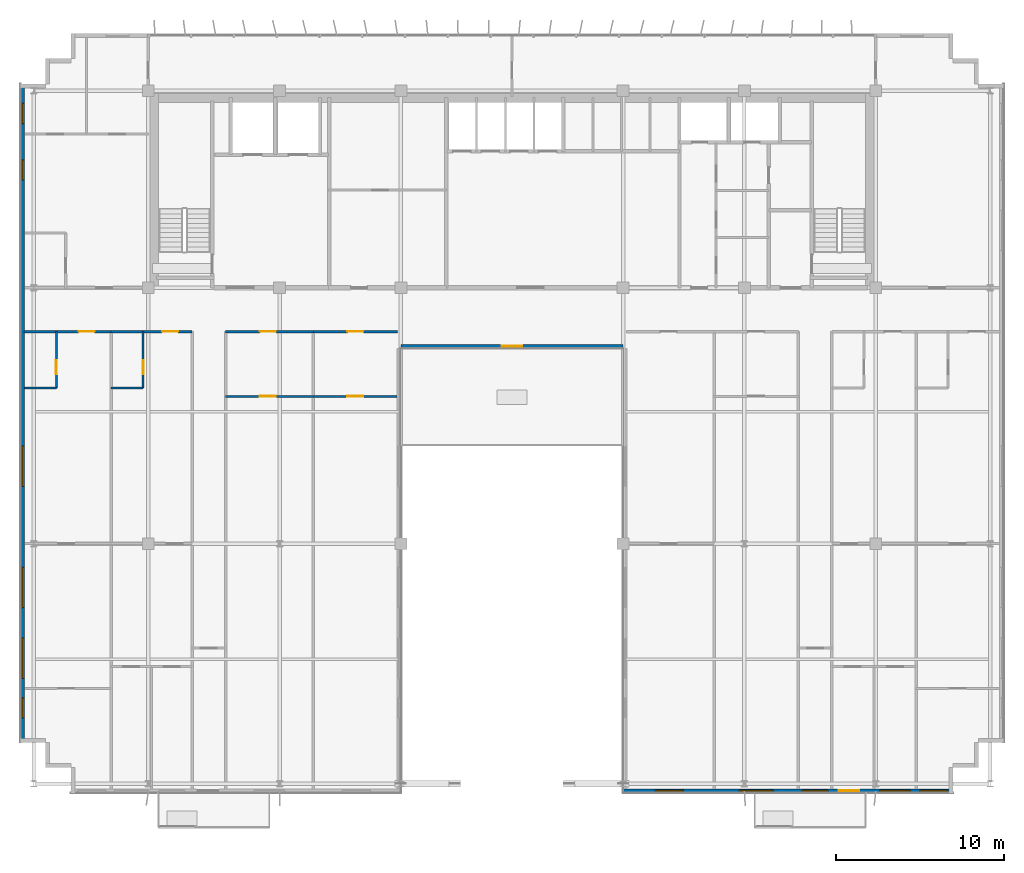
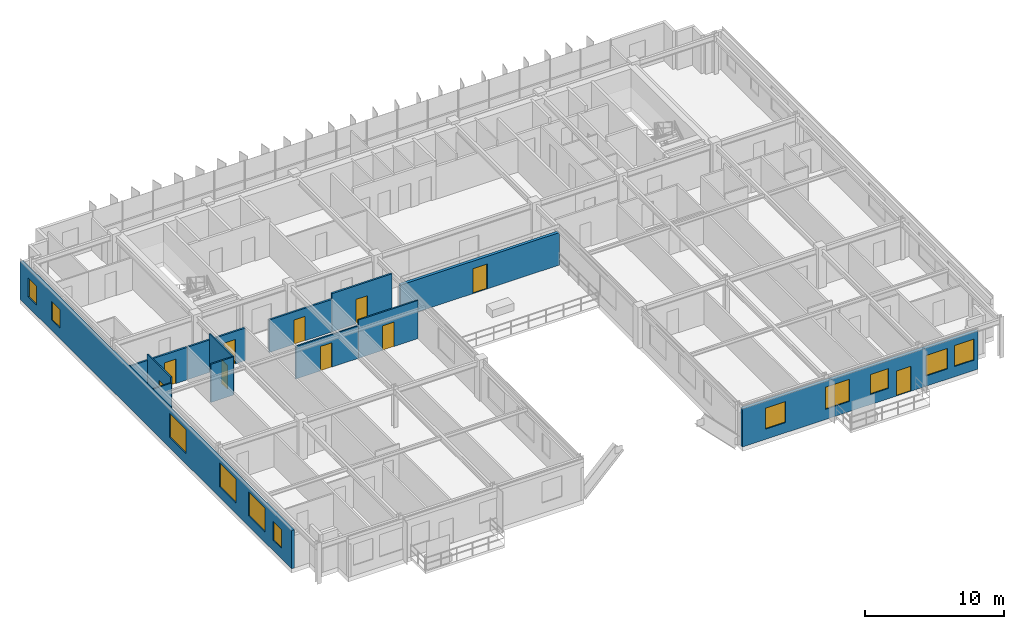
# One storey, part 17 of 23: 13 walls, 11 windows, 10 doors, 21 openings.
"""IFC4 building model written with IfcOpenShell, lengths in metres."""

from ifc_helpers import new_model, si_unit, direction, frame, frame_2d, origin, place, context, subcontext, project, spatial, rectangle, extrude, source, transform, mapped, material, layer, layer_set, type_object, element, fill, save


model = new_model("IFC4")

# Units and contexts
model_context = context("Model", 3, precision=1e-05, world=origin(), true_north=direction((0.0, 1.0)))
body_context = subcontext(model_context, "Body", "Model", "MODEL_VIEW")
ifc_project = project(units=[si_unit("LENGTHUNIT", "METRE"), si_unit("AREAUNIT", "SQUARE_METRE"), si_unit("VOLUMEUNIT", "CUBIC_METRE"), si_unit("PLANEANGLEUNIT", "RADIAN"), si_unit("MASSUNIT", "GRAM", prefix="KILO")], contexts=[model_context])

# Site, building, storey
site_placement = place(None, origin())
site = spatial("IfcSite", under=ifc_project, at=site_placement, CompositionType="ELEMENT")
building_placement = place(site_placement, origin())
building = spatial("IfcBuilding", under=site, at=building_placement, Name="Trelvane Seafront Commons", CompositionType="ELEMENT")
storey_placement = place(building_placement, frame((0.0, 0.0, 190.5)))
storey = spatial("IfcBuildingStorey", under=building, at=storey_placement, Name="L49", CompositionType="ELEMENT", Elevation=190.5)

# Wall, openings, windows
ifc_material_1 = material(Name="Precast concrete C40/50", Category="concrete")
ifc_layer_1 = layer(ifc_material_1, 0.239990234375, Name="ARCH-WALL-EXT240")
ifc_layer_set_1 = layer_set([ifc_layer_1], Name="Precast concrete C40/50")
wall_type_1 = type_object("IfcWallType", Name="ARCH-WALL-EXT240", PredefinedType="SOLIDWALL", material=ifc_layer_set_1)
wall_1_placement = place(storey_placement, frame((8.1201171875, 6.39990234375, 0.0), z_axis=(0.0, 0.0, 1.0), x_axis=(0.0, 1.0, 0.0)))
wall_1 = element("IfcWall", 1, at=wall_1_placement, inside=storey, type_object=wall_type_1, Name="EW-L49-00962", PredefinedType="SOLIDWALL", context=body_context, shape_type="SweptSolid", body=[
    extrude(rectangle(XDim=39.10009765625, YDim=0.239990234375, at=frame_2d((19.550048828125, 0.0))), origin(), (0.0, 0.0, 1.0), 3.360107421875),
])
opening_1_placement = place(wall_1_placement, frame((1.449951171875, 0.0, 0.919921875)))
opening_1 = element("IfcOpeningElement", 2, at=opening_1_placement, cuts=wall_1, Name="Opening W05", PredefinedType="OPENING", context=body_context, shape_type="SweptSolid", body=[
    extrude(rectangle(XDim=1.199951171875, YDim=1.64990234375, at=frame_2d((0.60009765625, 0.824951171875))), frame((0.0, 0.1298828125, 0.0), z_axis=(0.0, -1.0, 0.0), x_axis=(1.0, 0.0, 0.0)), (0.0, 0.0, 1.0), 0.260009765625),
])
opening_2_placement = place(wall_1_placement, frame((3.800048828125, 0.0, 0.919921875)))
opening_2 = element("IfcOpeningElement", 3, at=opening_2_placement, cuts=wall_1, Name="Opening W08", PredefinedType="OPENING", context=body_context, shape_type="SweptSolid", body=[
    extrude(rectangle(XDim=2.39990234375, YDim=2.10009765625, at=frame_2d((1.199951171875, 1.050048828125))), frame((0.0, 0.1298828125, 0.0), z_axis=(0.0, -1.0, 0.0), x_axis=(1.0, 0.0, 0.0)), (0.0, 0.0, 1.0), 0.260009765625),
])
opening_3_placement = place(wall_1_placement, frame((8.0, 0.0, 0.919921875)))
opening_3 = element("IfcOpeningElement", 4, at=opening_3_placement, cuts=wall_1, Name="Opening W08", PredefinedType="OPENING", context=body_context, shape_type="SweptSolid", body=[
    extrude(rectangle(XDim=2.39990234375, YDim=2.10009765625, at=frame_2d((1.199951171875, 1.050048828125))), frame((0.0, 0.1298828125, 0.0), z_axis=(0.0, -1.0, 0.0), x_axis=(1.0, 0.0, 0.0)), (0.0, 0.0, 1.0), 0.260009765625),
])
opening_4_placement = place(wall_1_placement, frame((15.199951171875, 0.0, 0.919921875)))
opening_4 = element("IfcOpeningElement", 5, at=opening_4_placement, cuts=wall_1, Name="Opening W08", PredefinedType="OPENING", context=body_context, shape_type="SweptSolid", body=[
    extrude(rectangle(XDim=2.39990234375, YDim=2.10009765625, at=frame_2d((1.199951171875, 1.050048828125))), frame((0.0, 0.1298828125, 0.0), z_axis=(0.0, -1.0, 0.0), x_axis=(1.0, 0.0, 0.0)), (0.0, 0.0, 1.0), 0.260009765625),
])
opening_5_placement = place(wall_1_placement, frame((33.39990234375, 0.0, 0.919921875)))
opening_5 = element("IfcOpeningElement", 6, at=opening_5_placement, cuts=wall_1, Name="Opening W05", PredefinedType="OPENING", context=body_context, shape_type="SweptSolid", body=[
    extrude(rectangle(XDim=1.199951171875, YDim=1.64990234375, at=frame_2d((0.60009765625, 0.824951171875))), frame((0.0, 0.1298828125, 0.0), z_axis=(0.0, -1.0, 0.0), x_axis=(1.0, 0.0, 0.0)), (0.0, 0.0, 1.0), 0.260009765625),
])
opening_6_placement = place(wall_1_placement, frame((36.75, 0.0, 0.919921875)))
opening_6 = element("IfcOpeningElement", 7, at=opening_6_placement, cuts=wall_1, Name="Opening W05", PredefinedType="OPENING", context=body_context, shape_type="SweptSolid", body=[
    extrude(rectangle(XDim=1.199951171875, YDim=1.64990234375, at=frame_2d((0.60009765625, 0.824951171875))), frame((0.0, 0.1298828125, 0.0), z_axis=(0.0, -1.0, 0.0), x_axis=(1.0, 0.0, 0.0)), (0.0, 0.0, 1.0), 0.260009765625),
])
ifc_material_2 = material(Name="Low-E coastal double glazing", Category="glass")
window_type_1 = type_object("IfcWindowType", Name="ARCH-WIN-W08", PartitioningType="SINGLE_PANEL", PredefinedType="WINDOW", material=ifc_material_2)
shared_shape_1 = source(origin(), body_context, "Body", "SweptSolid", [
    extrude(rectangle(XDim=2.39990234375, YDim=2.10009765625, at=frame_2d((1.199951171875, 1.050048828125))), frame((0.0, 0.030029296875, 0.0), z_axis=(0.0, -1.0, 0.0), x_axis=(1.0, 0.0, 0.0)), (0.0, 0.0, 1.0), 0.06005859375),
])
window_1_placement = place(opening_2_placement, origin())
window_1 = element("IfcWindow", 8, at=window_1_placement, inside=storey, type_object=window_type_1, Name="WIN-L49-EW-01137", OverallHeight=2.10009765625, OverallWidth=2.39990234375, PartitioningType="SINGLE_PANEL", PredefinedType="WINDOW", context=body_context, shape_type="MappedRepresentation", body=[
    mapped(shared_shape_1, transform((0.0, 0.0, 0.0), x_axis=(1.0, 0.0, 0.0), y_axis=(0.0, 1.0, 0.0), z_axis=(0.0, 0.0, 1.0), scale=1.0)),
])
fill(opening_2, window_1)
window_2_placement = place(opening_3_placement, origin())
window_2 = element("IfcWindow", 9, at=window_2_placement, inside=storey, type_object=window_type_1, Name="WIN-L49-EW-01138", OverallHeight=2.10009765625, OverallWidth=2.39990234375, PartitioningType="SINGLE_PANEL", PredefinedType="WINDOW", context=body_context, shape_type="MappedRepresentation", body=[
    mapped(shared_shape_1, transform((0.0, 0.0, 0.0), x_axis=(1.0, 0.0, 0.0), y_axis=(0.0, 1.0, 0.0), z_axis=(0.0, 0.0, 1.0), scale=1.0)),
])
fill(opening_3, window_2)
window_3_placement = place(opening_4_placement, origin())
window_3 = element("IfcWindow", 10, at=window_3_placement, inside=storey, type_object=window_type_1, Name="WIN-L49-EW-01139", OverallHeight=2.10009765625, OverallWidth=2.39990234375, PartitioningType="SINGLE_PANEL", PredefinedType="WINDOW", context=body_context, shape_type="MappedRepresentation", body=[
    mapped(shared_shape_1, transform((0.0, 0.0, 0.0), x_axis=(1.0, 0.0, 0.0), y_axis=(0.0, 1.0, 0.0), z_axis=(0.0, 0.0, 1.0), scale=1.0)),
])
fill(opening_4, window_3)
window_type_2 = type_object("IfcWindowType", Name="ARCH-WIN-W05", PartitioningType="SINGLE_PANEL", PredefinedType="WINDOW", material=ifc_material_2)
shared_shape_2 = source(origin(), body_context, "Body", "SweptSolid", [
    extrude(rectangle(XDim=1.199951171875, YDim=1.64990234375, at=frame_2d((0.60009765625, 0.824951171875))), frame((0.0, 0.030029296875, 0.0), z_axis=(0.0, -1.0, 0.0), x_axis=(1.0, 0.0, 0.0)), (0.0, 0.0, 1.0), 0.06005859375),
])
window_4_placement = place(opening_1_placement, origin())
window_4 = element("IfcWindow", 11, at=window_4_placement, inside=storey, type_object=window_type_2, Name="WIN-L49-EW-01136", OverallHeight=1.64990234375, OverallWidth=1.199951171875, PartitioningType="SINGLE_PANEL", PredefinedType="WINDOW", context=body_context, shape_type="MappedRepresentation", body=[
    mapped(shared_shape_2, transform((0.0, 0.0, 0.0), x_axis=(1.0, 0.0, 0.0), y_axis=(0.0, 1.0, 0.0), z_axis=(0.0, 0.0, 1.0), scale=1.0)),
])
fill(opening_1, window_4)
window_5_placement = place(opening_5_placement, origin())
window_5 = element("IfcWindow", 12, at=window_5_placement, inside=storey, type_object=window_type_2, Name="WIN-L49-EW-01140", OverallHeight=1.64990234375, OverallWidth=1.199951171875, PartitioningType="SINGLE_PANEL", PredefinedType="WINDOW", context=body_context, shape_type="MappedRepresentation", body=[
    mapped(shared_shape_2, transform((0.0, 0.0, 0.0), x_axis=(1.0, 0.0, 0.0), y_axis=(0.0, 1.0, 0.0), z_axis=(0.0, 0.0, 1.0), scale=1.0)),
])
fill(opening_5, window_5)
window_6_placement = place(opening_6_placement, origin())
window_6 = element("IfcWindow", 13, at=window_6_placement, inside=storey, type_object=window_type_2, Name="WIN-L49-EW-01141", OverallHeight=1.64990234375, OverallWidth=1.199951171875, PartitioningType="SINGLE_PANEL", PredefinedType="WINDOW", context=body_context, shape_type="MappedRepresentation", body=[
    mapped(shared_shape_2, transform((0.0, 0.0, 0.0), x_axis=(1.0, 0.0, 0.0), y_axis=(0.0, 1.0, 0.0), z_axis=(0.0, 0.0, 1.0), scale=1.0)),
])
fill(opening_6, window_6)

# Wall, openings, door, windows
wall_2_placement = place(storey_placement, frame((63.39990234375, 3.52001953125, 0.0), z_axis=(0.0, 0.0, 1.0), x_axis=(-1.0, 0.0, 0.0)))
wall_2 = element("IfcWall", 14, at=wall_2_placement, inside=storey, type_object=wall_type_1, Name="EW-L49-00976", PredefinedType="SOLIDWALL", context=body_context, shape_type="SweptSolid", body=[
    extrude(rectangle(XDim=19.599853515625, YDim=0.239990234375, at=frame_2d((9.7998046875, 0.0))), origin(), (0.0, 0.0, 1.0), 3.360107421875),
])
opening_7_placement = place(wall_2_placement, frame((0.320068359375, 0.0, 0.89990234375)))
opening_7 = element("IfcOpeningElement", 15, at=opening_7_placement, cuts=wall_2, Name="Opening W07", PredefinedType="OPENING", context=body_context, shape_type="SweptSolid", body=[
    extrude(rectangle(XDim=1.64990234375, YDim=1.85009765625, at=frame_2d((0.824951171875, 0.925048828125))), frame((0.0, 0.1298828125, 0.0), z_axis=(0.0, -1.0, 0.0), x_axis=(1.0, 0.0, 0.0)), (0.0, 0.0, 1.0), 0.260009765625),
])
opening_8_placement = place(wall_2_placement, frame((2.550048828125, 0.0, 0.89990234375)))
opening_8 = element("IfcOpeningElement", 16, at=opening_8_placement, cuts=wall_2, Name="Opening W01", PredefinedType="OPENING", context=body_context, shape_type="SweptSolid", body=[
    extrude(rectangle(XDim=1.800048828125, YDim=1.800048828125, at=frame_2d((0.89990234375, 0.89990234375))), frame((0.0, 0.1298828125, 0.0), z_axis=(0.0, -1.0, 0.0), x_axis=(1.0, 0.0, 0.0)), (0.0, 0.0, 1.0), 0.260009765625),
])
opening_9_placement = place(wall_2_placement, frame((5.5849609375, 0.0, 0.0)))
opening_9 = element("IfcOpeningElement", 17, at=opening_9_placement, cuts=wall_2, Name="Opening BD-L49-107", PredefinedType="OPENING", context=body_context, shape_type="SweptSolid", body=[
    extrude(rectangle(XDim=1.199951171875, YDim=2.199951171875, at=frame_2d((0.60009765625, 1.10009765625))), frame((0.0, 0.1298828125, 0.0), z_axis=(0.0, -1.0, 0.0), x_axis=(1.0, 0.0, 0.0)), (0.0, 0.0, 1.0), 0.260009765625),
])
opening_10_placement = place(wall_2_placement, frame((7.449951171875, 0.0, 0.89990234375)))
opening_10 = element("IfcOpeningElement", 18, at=opening_10_placement, cuts=wall_2, Name="Opening W03", PredefinedType="OPENING", context=body_context, shape_type="SweptSolid", body=[
    extrude(rectangle(XDim=1.5, YDim=1.75, at=frame_2d((0.75, 0.875))), frame((0.0, 0.1298828125, 0.0), z_axis=(0.0, -1.0, 0.0), x_axis=(1.0, 0.0, 0.0)), (0.0, 0.0, 1.0), 0.260009765625),
])
opening_11_placement = place(wall_2_placement, frame((10.699951171875, 0.0, 0.89990234375)))
opening_11 = element("IfcOpeningElement", 19, at=opening_11_placement, cuts=wall_2, Name="Opening W06", PredefinedType="OPENING", context=body_context, shape_type="SweptSolid", body=[
    extrude(rectangle(XDim=2.0, YDim=1.949951171875, at=frame_2d((1.0, 0.97509765625))), frame((0.0, 0.1298828125, 0.0), z_axis=(0.0, -1.0, 0.0), x_axis=(1.0, 0.0, 0.0)), (0.0, 0.0, 1.0), 0.260009765625),
])
opening_12_placement = place(wall_2_placement, frame((16.030029296875, 0.0, 0.89990234375)))
opening_12 = element("IfcOpeningElement", 20, at=opening_12_placement, cuts=wall_2, Name="Opening W07", PredefinedType="OPENING", context=body_context, shape_type="SweptSolid", body=[
    extrude(rectangle(XDim=1.64990234375, YDim=1.85009765625, at=frame_2d((0.824951171875, 0.925048828125))), frame((0.0, 0.1298828125, 0.0), z_axis=(0.0, -1.0, 0.0), x_axis=(1.0, 0.0, 0.0)), (0.0, 0.0, 1.0), 0.260009765625),
])
ifc_material_3 = material(Name="Powder-coated aluminium frame", Category="aluminium")
door_type_1 = type_object("IfcDoorType", Name="ARCH-DR-BAL1200", OperationType="NOTDEFINED", PredefinedType="DOOR", material=ifc_material_3)
shared_shape_3 = source(origin(), body_context, "Body", "SweptSolid", [
    extrude(rectangle(XDim=1.199951171875, YDim=2.199951171875, at=frame_2d((0.60009765625, 1.10009765625))), frame((0.0, 0.02490234375, 0.0), z_axis=(0.0, -1.0, 0.0), x_axis=(1.0, 0.0, 0.0)), (0.0, 0.0, 1.0), 0.050048828125),
])
door_1_placement = place(opening_9_placement, origin())
door_1 = element("IfcDoor", 21, at=door_1_placement, inside=storey, type_object=door_type_1, Name="L49 Balcony Terrace Access Door", OperationType="SINGLE_SWING_LEFT", OverallHeight=2.199951171875, OverallWidth=1.199951171875, PredefinedType="DOOR", context=body_context, shape_type="MappedRepresentation", body=[
    mapped(shared_shape_3, transform((0.0, 0.0, 0.0), x_axis=(1.0, 0.0, 0.0), y_axis=(0.0, 1.0, 0.0), z_axis=(0.0, 0.0, 1.0), scale=1.0)),
])
fill(opening_9, door_1)
window_type_3 = type_object("IfcWindowType", Name="ARCH-WIN-W03", PartitioningType="SINGLE_PANEL", PredefinedType="WINDOW", material=ifc_material_2)
shared_shape_4 = source(origin(), body_context, "Body", "SweptSolid", [
    extrude(rectangle(XDim=1.5, YDim=1.75, at=frame_2d((0.75, 0.875))), frame((0.0, 0.030029296875, 0.0), z_axis=(0.0, -1.0, 0.0), x_axis=(1.0, 0.0, 0.0)), (0.0, 0.0, 1.0), 0.06005859375),
])
window_7_placement = place(opening_10_placement, origin())
window_7 = element("IfcWindow", 22, at=window_7_placement, inside=storey, type_object=window_type_3, Name="WIN-L49-01151", OverallHeight=1.75, OverallWidth=1.5, PartitioningType="SINGLE_PANEL", PredefinedType="WINDOW", context=body_context, shape_type="MappedRepresentation", body=[
    mapped(shared_shape_4, transform((0.0, 0.0, 0.0), x_axis=(1.0, 0.0, 0.0), y_axis=(0.0, 1.0, 0.0), z_axis=(0.0, 0.0, 1.0), scale=1.0)),
])
fill(opening_10, window_7)
window_type_4 = type_object("IfcWindowType", Name="ARCH-WIN-W06", PartitioningType="SINGLE_PANEL", PredefinedType="WINDOW", material=ifc_material_2)
shared_shape_5 = source(origin(), body_context, "Body", "SweptSolid", [
    extrude(rectangle(XDim=2.0, YDim=1.949951171875, at=frame_2d((1.0, 0.97509765625))), frame((0.0, 0.030029296875, 0.0), z_axis=(0.0, -1.0, 0.0), x_axis=(1.0, 0.0, 0.0)), (0.0, 0.0, 1.0), 0.06005859375),
])
window_8_placement = place(opening_11_placement, origin())
window_8 = element("IfcWindow", 23, at=window_8_placement, inside=storey, type_object=window_type_4, Name="WIN-L49-01152", OverallHeight=1.949951171875, OverallWidth=2.0, PartitioningType="SINGLE_PANEL", PredefinedType="WINDOW", context=body_context, shape_type="MappedRepresentation", body=[
    mapped(shared_shape_5, transform((0.0, 0.0, 0.0), x_axis=(1.0, 0.0, 0.0), y_axis=(0.0, 1.0, 0.0), z_axis=(0.0, 0.0, 1.0), scale=1.0)),
])
fill(opening_11, window_8)
window_type_5 = type_object("IfcWindowType", Name="ARCH-WIN-W01", PartitioningType="SINGLE_PANEL", PredefinedType="WINDOW", material=ifc_material_2)
shared_shape_6 = source(origin(), body_context, "Body", "SweptSolid", [
    extrude(rectangle(XDim=1.800048828125, YDim=1.800048828125, at=frame_2d((0.89990234375, 0.89990234375))), frame((0.0, 0.030029296875, 0.0), z_axis=(0.0, -1.0, 0.0), x_axis=(1.0, 0.0, 0.0)), (0.0, 0.0, 1.0), 0.06005859375),
])
window_9_placement = place(opening_8_placement, origin())
window_9 = element("IfcWindow", 24, at=window_9_placement, inside=storey, type_object=window_type_5, Name="WIN-L49-01150", OverallHeight=1.800048828125, OverallWidth=1.800048828125, PartitioningType="SINGLE_PANEL", PredefinedType="WINDOW", context=body_context, shape_type="MappedRepresentation", body=[
    mapped(shared_shape_6, transform((0.0, 0.0, 0.0), x_axis=(1.0, 0.0, 0.0), y_axis=(0.0, 1.0, 0.0), z_axis=(0.0, 0.0, 1.0), scale=1.0)),
])
fill(opening_8, window_9)
window_type_6 = type_object("IfcWindowType", Name="ARCH-WIN-W07", PartitioningType="SINGLE_PANEL", PredefinedType="WINDOW", material=ifc_material_2)
shared_shape_7 = source(origin(), body_context, "Body", "SweptSolid", [
    extrude(rectangle(XDim=1.64990234375, YDim=1.85009765625, at=frame_2d((0.824951171875, 0.925048828125))), frame((0.0, 0.030029296875, 0.0), z_axis=(0.0, -1.0, 0.0), x_axis=(1.0, 0.0, 0.0)), (0.0, 0.0, 1.0), 0.06005859375),
])
window_10_placement = place(opening_7_placement, origin())
window_10 = element("IfcWindow", 25, at=window_10_placement, inside=storey, type_object=window_type_6, Name="WIN-L49-01149", OverallHeight=1.85009765625, OverallWidth=1.64990234375, PartitioningType="SINGLE_PANEL", PredefinedType="WINDOW", context=body_context, shape_type="MappedRepresentation", body=[
    mapped(shared_shape_7, transform((0.0, 0.0, 0.0), x_axis=(1.0, 0.0, 0.0), y_axis=(0.0, 1.0, 0.0), z_axis=(0.0, 0.0, 1.0), scale=1.0)),
])
fill(opening_7, window_10)
window_11_placement = place(opening_12_placement, origin())
window_11 = element("IfcWindow", 26, at=window_11_placement, inside=storey, type_object=window_type_6, Name="WIN-L49-01153", OverallHeight=1.85009765625, OverallWidth=1.64990234375, PartitioningType="SINGLE_PANEL", PredefinedType="WINDOW", context=body_context, shape_type="MappedRepresentation", body=[
    mapped(shared_shape_7, transform((0.0, 0.0, 0.0), x_axis=(1.0, 0.0, 0.0), y_axis=(0.0, 1.0, 0.0), z_axis=(0.0, 0.0, 1.0), scale=1.0)),
])
fill(opening_12, window_11)

# Wall, opening, door
wall_3_placement = place(storey_placement, frame((43.800048828125, 29.919921875, 0.0), z_axis=(0.0, 0.0, 1.0), x_axis=(-1.0, 0.0, 0.0)))
wall_3 = element("IfcWall", 27, at=wall_3_placement, inside=storey, type_object=wall_type_1, Name="EW-L49-00978", PredefinedType="SOLIDWALL", context=body_context, shape_type="SweptSolid", body=[
    extrude(rectangle(XDim=13.199951171875, YDim=0.239990234375, at=frame_2d((6.60009765625, 0.0))), origin(), (0.0, 0.0, 1.0), 2.860107421875),
])
opening_13_placement = place(wall_3_placement, frame((6.0, 0.0, 0.0)))
opening_13 = element("IfcOpeningElement", 28, at=opening_13_placement, cuts=wall_3, Name="Opening BD-L49-108", PredefinedType="OPENING", context=body_context, shape_type="SweptSolid", body=[
    extrude(rectangle(XDim=1.199951171875, YDim=2.199951171875, at=frame_2d((0.60009765625, 1.10009765625))), frame((0.0, 0.1298828125, 0.0), z_axis=(0.0, -1.0, 0.0), x_axis=(1.0, 0.0, 0.0)), (0.0, 0.0, 1.0), 0.260009765625),
])
door_2_placement = place(opening_13_placement, origin())
door_2 = element("IfcDoor", 29, at=door_2_placement, inside=storey, type_object=door_type_1, Name="L49 Balcony Terrace Access Door", OperationType="SINGLE_SWING_LEFT", OverallHeight=2.199951171875, OverallWidth=1.199951171875, PredefinedType="DOOR", context=body_context, shape_type="MappedRepresentation", body=[
    mapped(shared_shape_3, transform((0.0, 0.0, 0.0), x_axis=(1.0, 0.0, 0.0), y_axis=(0.0, 1.0, 0.0), z_axis=(0.0, 0.0, 1.0), scale=1.0)),
])
fill(opening_13, door_2)

ifc_material_4 = material(Name="Gypsum Drywall Acoustic Partition")
ifc_layer_2 = layer(ifc_material_4, 0.1201171875, Name="ARCH-WALL-PART120")
ifc_layer_set_2 = layer_set([ifc_layer_2], Name="Gypsum Drywall Acoustic Partition")
wall_type_2 = type_object("IfcWallType", Name="ARCH-WALL-PART120", PredefinedType="PARTITIONING", material=ifc_layer_set_2)
wall_4_placement = place(storey_placement, frame((10.139892578125, 27.449951171875, 0.0), z_axis=(0.0, 0.0, 1.0), x_axis=(0.0, 1.0, 0.0)))
wall_4 = element("IfcWall", 30, at=wall_4_placement, inside=storey, type_object=wall_type_2, Name="W-L49-U1-BE-052", PredefinedType="PARTITIONING", context=body_context, shape_type="SweptSolid", body=[
    extrude(rectangle(XDim=3.35009765625, YDim=0.1201171875, at=frame_2d((1.675048828125, 0.0))), origin(), (0.0, 0.0, 1.0), 3.360107421875),
])
opening_14_placement = place(wall_4_placement, frame((0.800048828125, 0.0, 0.0)))
opening_14 = element("IfcOpeningElement", 31, at=opening_14_placement, cuts=wall_4, Name="Opening D-L49-30", PredefinedType="OPENING", context=body_context, shape_type="SweptSolid", body=[
    extrude(rectangle(XDim=0.85009765625, YDim=2.10009765625, at=frame_2d((0.425048828125, 1.050048828125))), frame((0.0, 0.070068359375, 0.0), z_axis=(0.0, -1.0, 0.0), x_axis=(1.0, 0.0, 0.0)), (0.0, 0.0, 1.0), 0.14013671875),
])
ifc_material_5 = material(Name="Acoustic timber door leaf", Category="wood")
door_type_2 = type_object("IfcDoorType", Name="ARCH-DR-INT850", OperationType="NOTDEFINED", PredefinedType="DOOR", material=ifc_material_5)
shared_shape_8 = source(origin(), body_context, "Body", "SweptSolid", [
    extrude(rectangle(XDim=0.85009765625, YDim=2.10009765625, at=frame_2d((0.425048828125, 1.050048828125))), frame((0.0, 0.02490234375, 0.0), z_axis=(0.0, -1.0, 0.0), x_axis=(1.0, 0.0, 0.0)), (0.0, 0.0, 1.0), 0.050048828125),
])
door_3_placement = place(opening_14_placement, origin())
door_3 = element("IfcDoor", 32, at=door_3_placement, inside=storey, type_object=door_type_2, Name="L49 Door 30", OperationType="SINGLE_SWING_RIGHT", OverallHeight=2.10009765625, OverallWidth=0.85009765625, PredefinedType="DOOR", context=body_context, shape_type="MappedRepresentation", body=[
    mapped(shared_shape_8, transform((0.0, 0.0, 0.0), x_axis=(1.0, 0.0, 0.0), y_axis=(0.0, 1.0, 0.0), z_axis=(0.0, 0.0, 1.0), scale=1.0)),
])
fill(opening_14, door_3)

# Wall
wall_5_placement = place(storey_placement, frame((8.239990234375, 27.449951171875, 0.0), z_axis=(0.0, 0.0, 1.0), x_axis=(1.0, 0.0, 0.0)))
element("IfcWall", 33, at=wall_5_placement, inside=storey, type_object=wall_type_2, Name="W-L49-U1-BS-053", PredefinedType="PARTITIONING", context=body_context, shape_type="SweptSolid", body=[
    extrude(rectangle(XDim=1.89990234375, YDim=0.1201171875, at=frame_2d((0.949951171875, 0.0))), origin(), (0.0, 0.0, 1.0), 2.860107421875),
])

# Wall, opening, door
wall_6_placement = place(storey_placement, frame((15.300048828125, 27.449951171875, 0.0), z_axis=(0.0, 0.0, 1.0), x_axis=(0.0, 1.0, 0.0)))
wall_6 = element("IfcWall", 34, at=wall_6_placement, inside=storey, type_object=wall_type_2, Name="W-L49-U2-BE-057", PredefinedType="PARTITIONING", context=body_context, shape_type="SweptSolid", body=[
    extrude(rectangle(XDim=3.35009765625, YDim=0.1201171875, at=frame_2d((1.675048828125, 0.0))), origin(), (0.0, 0.0, 1.0), 3.360107421875),
])
opening_15_placement = place(wall_6_placement, frame((0.800048828125, 0.0, 0.0)))
opening_15 = element("IfcOpeningElement", 35, at=opening_15_placement, cuts=wall_6, Name="Opening D-L49-34", PredefinedType="OPENING", context=body_context, shape_type="SweptSolid", body=[
    extrude(rectangle(XDim=0.85009765625, YDim=2.10009765625, at=frame_2d((0.425048828125, 1.050048828125))), frame((0.0, 0.070068359375, 0.0), z_axis=(0.0, -1.0, 0.0), x_axis=(1.0, 0.0, 0.0)), (0.0, 0.0, 1.0), 0.14013671875),
])
door_4_placement = place(opening_15_placement, origin())
door_4 = element("IfcDoor", 36, at=door_4_placement, inside=storey, type_object=door_type_2, Name="L49 Door 34", OperationType="SINGLE_SWING_RIGHT", OverallHeight=2.10009765625, OverallWidth=0.85009765625, PredefinedType="DOOR", context=body_context, shape_type="MappedRepresentation", body=[
    mapped(shared_shape_8, transform((0.0, 0.0, 0.0), x_axis=(1.0, 0.0, 0.0), y_axis=(0.0, 1.0, 0.0), z_axis=(0.0, 0.0, 1.0), scale=1.0)),
])
fill(opening_15, door_4)

# Wall
wall_7_placement = place(storey_placement, frame((13.39990234375, 27.449951171875, 0.0), z_axis=(0.0, 0.0, 1.0), x_axis=(1.0, 0.0, 0.0)))
element("IfcWall", 37, at=wall_7_placement, inside=storey, type_object=wall_type_2, Name="W-L49-U2-BS-058", PredefinedType="PARTITIONING", context=body_context, shape_type="SweptSolid", body=[
    extrude(rectangle(XDim=1.900146484375, YDim=0.1201171875, at=frame_2d((0.9501953125, 0.0))), origin(), (0.0, 0.0, 1.0), 3.360107421875),
])

# Wall, opening, door
wall_8_placement = place(storey_placement, frame((20.199951171875, 26.949951171875, 0.0), z_axis=(0.0, 0.0, 1.0), x_axis=(1.0, 0.0, 0.0)))
wall_8 = element("IfcWall", 38, at=wall_8_placement, inside=storey, type_object=wall_type_2, Name="W-L49-U4-DIV-067", PredefinedType="PARTITIONING", context=body_context, shape_type="SweptSolid", body=[
    extrude(rectangle(XDim=5.199951171875, YDim=0.1201171875, at=frame_2d((2.60009765625, 0.0))), origin(), (0.0, 0.0, 1.0), 2.860107421875),
])
opening_16_placement = place(wall_8_placement, frame((2.032958984375, 0.0, 0.0)))
opening_16 = element("IfcOpeningElement", 39, at=opening_16_placement, cuts=wall_8, Name="Opening D-L49-40", PredefinedType="OPENING", context=body_context, shape_type="SweptSolid", body=[
    extrude(rectangle(XDim=0.949951171875, YDim=2.14990234375, at=frame_2d((0.47509765625, 1.074951171875))), frame((0.0, 0.070068359375, 0.0), z_axis=(0.0, -1.0, 0.0), x_axis=(1.0, 0.0, 0.0)), (0.0, 0.0, 1.0), 0.14013671875),
])
door_type_3 = type_object("IfcDoorType", Name="ARCH-DR-INT950", OperationType="NOTDEFINED", PredefinedType="DOOR", material=ifc_material_5)
shared_shape_9 = source(origin(), body_context, "Body", "SweptSolid", [
    extrude(rectangle(XDim=0.949951171875, YDim=2.14990234375, at=frame_2d((0.47509765625, 1.074951171875))), frame((0.0, 0.02490234375, 0.0), z_axis=(0.0, -1.0, 0.0), x_axis=(1.0, 0.0, 0.0)), (0.0, 0.0, 1.0), 0.050048828125),
])
door_5_placement = place(opening_16_placement, origin())
door_5 = element("IfcDoor", 40, at=door_5_placement, inside=storey, type_object=door_type_3, Name="L49 Door 40", OperationType="SINGLE_SWING_RIGHT", OverallHeight=2.14990234375, OverallWidth=0.949951171875, PredefinedType="DOOR", context=body_context, shape_type="MappedRepresentation", body=[
    mapped(shared_shape_9, transform((0.0, 0.0, 0.0), x_axis=(1.0, 0.0, 0.0), y_axis=(0.0, 1.0, 0.0), z_axis=(0.0, 0.0, 1.0), scale=1.0)),
])
fill(opening_16, door_5)

wall_9_placement = place(storey_placement, frame((25.39990234375, 26.949951171875, 0.0), z_axis=(0.0, 0.0, 1.0), x_axis=(1.0, 0.0, 0.0)))
wall_9 = element("IfcWall", 41, at=wall_9_placement, inside=storey, type_object=wall_type_2, Name="W-L49-U5-DIV-069", PredefinedType="PARTITIONING", context=body_context, shape_type="SweptSolid", body=[
    extrude(rectangle(XDim=4.97509765625, YDim=0.1201171875, at=frame_2d((2.487548828125, 0.0))), origin(), (0.0, 0.0, 1.0), 3.360107421875),
])
opening_17_placement = place(wall_9_placement, frame((2.012939453125, 0.0, 0.0)))
opening_17 = element("IfcOpeningElement", 42, at=opening_17_placement, cuts=wall_9, Name="Opening D-L49-42", PredefinedType="OPENING", context=body_context, shape_type="SweptSolid", body=[
    extrude(rectangle(XDim=0.949951171875, YDim=2.14990234375, at=frame_2d((0.47509765625, 1.074951171875))), frame((0.0, 0.070068359375, 0.0), z_axis=(0.0, -1.0, 0.0), x_axis=(1.0, 0.0, 0.0)), (0.0, 0.0, 1.0), 0.14013671875),
])
door_6_placement = place(opening_17_placement, origin())
door_6 = element("IfcDoor", 43, at=door_6_placement, inside=storey, type_object=door_type_3, Name="L49 Door 42", OperationType="SINGLE_SWING_RIGHT", OverallHeight=2.14990234375, OverallWidth=0.949951171875, PredefinedType="DOOR", context=body_context, shape_type="MappedRepresentation", body=[
    mapped(shared_shape_9, transform((0.0, 0.0, 0.0), x_axis=(1.0, 0.0, 0.0), y_axis=(0.0, 1.0, 0.0), z_axis=(0.0, 0.0, 1.0), scale=1.0)),
])
fill(opening_17, door_6)

ifc_layer_3 = layer(ifc_material_4, 0.14990234375, Name="ARCH-WALL-PART150")
ifc_layer_set_3 = layer_set([ifc_layer_3], Name="Gypsum Drywall Acoustic Partition")
wall_type_3 = type_object("IfcWallType", Name="ARCH-WALL-PART150", PredefinedType="PARTITIONING", material=ifc_layer_set_3)
wall_10_placement = place(storey_placement, frame((8.22509765625, 30.800048828125, 0.0), z_axis=(0.0, 0.0, 1.0), x_axis=(1.0, 0.0, 0.0)))
wall_10 = element("IfcWall", 44, at=wall_10_placement, inside=storey, type_object=wall_type_3, Name="W-L49-CS-BAY-1-054", PredefinedType="PARTITIONING", context=body_context, shape_type="SweptSolid", body=[
    extrude(rectangle(XDim=5.1748046875, YDim=0.14990234375, at=frame_2d((2.58740234375, 0.0))), origin(), (0.0, 0.0, 1.0), 2.860107421875),
])
opening_18_placement = place(wall_10_placement, frame((3.243896484375, 0.0, 0.0)))
opening_18 = element("IfcOpeningElement", 45, at=opening_18_placement, cuts=wall_10, Name="Opening FD-L49-31", PredefinedType="OPENING", context=body_context, shape_type="SweptSolid", body=[
    extrude(rectangle(XDim=0.949951171875, YDim=2.14990234375, at=frame_2d((0.47509765625, 1.074951171875))), frame((0.0, 0.0849609375, 0.0), z_axis=(0.0, -1.0, 0.0), x_axis=(1.0, 0.0, 0.0)), (0.0, 0.0, 1.0), 0.169921875),
])
door_type_4 = type_object("IfcDoorType", Name="ARCH-DR-FD60-950", OperationType="NOTDEFINED", PredefinedType="DOOR", material=ifc_material_3)
door_7_placement = place(opening_18_placement, origin())
door_7 = element("IfcDoor", 46, at=door_7_placement, inside=storey, type_object=door_type_4, Name="L49 Unit 01 Entrance Door", OperationType="SINGLE_SWING_LEFT", OverallHeight=2.14990234375, OverallWidth=0.949951171875, PredefinedType="DOOR", context=body_context, shape_type="MappedRepresentation", body=[
    mapped(shared_shape_9, transform((0.0, 0.0, 0.0), x_axis=(1.0, 0.0, 0.0), y_axis=(0.0, 1.0, 0.0), z_axis=(0.0, 0.0, 1.0), scale=1.0)),
])
fill(opening_18, door_7)

wall_11_placement = place(storey_placement, frame((13.39990234375, 30.800048828125, 0.0), z_axis=(0.0, 0.0, 1.0), x_axis=(1.0, 0.0, 0.0)))
wall_11 = element("IfcWall", 47, at=wall_11_placement, inside=storey, type_object=wall_type_3, Name="W-L49-CS-BAY-2-059", PredefinedType="PARTITIONING", context=body_context, shape_type="SweptSolid", body=[
    extrude(rectangle(XDim=4.800048828125, YDim=0.14990234375, at=frame_2d((2.39990234375, 0.0))), origin(), (0.0, 0.0, 1.0), 2.860107421875),
])
opening_19_placement = place(wall_11_placement, frame((3.01904296875, 0.0, 0.0)))
opening_19 = element("IfcOpeningElement", 48, at=opening_19_placement, cuts=wall_11, Name="Opening FD-L49-35", PredefinedType="OPENING", context=body_context, shape_type="SweptSolid", body=[
    extrude(rectangle(XDim=0.949951171875, YDim=2.14990234375, at=frame_2d((0.47509765625, 1.074951171875))), frame((0.0, 0.0849609375, 0.0), z_axis=(0.0, -1.0, 0.0), x_axis=(1.0, 0.0, 0.0)), (0.0, 0.0, 1.0), 0.169921875),
])
door_8_placement = place(opening_19_placement, origin())
door_8 = element("IfcDoor", 49, at=door_8_placement, inside=storey, type_object=door_type_4, Name="L49 Unit 02 Entrance Door", OperationType="SINGLE_SWING_LEFT", OverallHeight=2.14990234375, OverallWidth=0.949951171875, PredefinedType="DOOR", context=body_context, shape_type="MappedRepresentation", body=[
    mapped(shared_shape_9, transform((0.0, 0.0, 0.0), x_axis=(1.0, 0.0, 0.0), y_axis=(0.0, 1.0, 0.0), z_axis=(0.0, 0.0, 1.0), scale=1.0)),
])
fill(opening_19, door_8)

wall_12_placement = place(storey_placement, frame((20.199951171875, 30.800048828125, 0.0), z_axis=(0.0, 0.0, 1.0), x_axis=(1.0, 0.0, 0.0)))
wall_12 = element("IfcWall", 50, at=wall_12_placement, inside=storey, type_object=wall_type_3, Name="W-L49-CS-BAY-4-066", PredefinedType="PARTITIONING", context=body_context, shape_type="SweptSolid", body=[
    extrude(rectangle(XDim=5.199951171875, YDim=0.14990234375, at=frame_2d((2.60009765625, 0.0))), origin(), (0.0, 0.0, 1.0), 2.860107421875),
])
opening_20_placement = place(wall_12_placement, frame((2.032958984375, 0.0, 0.0)))
opening_20 = element("IfcOpeningElement", 51, at=opening_20_placement, cuts=wall_12, Name="Opening FD-L49-39", PredefinedType="OPENING", context=body_context, shape_type="SweptSolid", body=[
    extrude(rectangle(XDim=0.949951171875, YDim=2.14990234375, at=frame_2d((0.47509765625, 1.074951171875))), frame((0.0, 0.0849609375, 0.0), z_axis=(0.0, -1.0, 0.0), x_axis=(1.0, 0.0, 0.0)), (0.0, 0.0, 1.0), 0.169921875),
])
door_9_placement = place(opening_20_placement, origin())
door_9 = element("IfcDoor", 52, at=door_9_placement, inside=storey, type_object=door_type_4, Name="L49 Bay 04 Entrance Door", OperationType="SINGLE_SWING_LEFT", OverallHeight=2.14990234375, OverallWidth=0.949951171875, PredefinedType="DOOR", context=body_context, shape_type="MappedRepresentation", body=[
    mapped(shared_shape_9, transform((0.0, 0.0, 0.0), x_axis=(1.0, 0.0, 0.0), y_axis=(0.0, 1.0, 0.0), z_axis=(0.0, 0.0, 1.0), scale=1.0)),
])
fill(opening_20, door_9)

wall_13_placement = place(storey_placement, frame((25.39990234375, 30.800048828125, 0.0), z_axis=(0.0, 0.0, 1.0), x_axis=(1.0, 0.0, 0.0)))
wall_13 = element("IfcWall", 53, at=wall_13_placement, inside=storey, type_object=wall_type_3, Name="W-L49-CS-BAY-5-068", PredefinedType="PARTITIONING", context=body_context, shape_type="SweptSolid", body=[
    extrude(rectangle(XDim=5.0, YDim=0.14990234375, at=frame_2d((2.5, 0.0))), origin(), (0.0, 0.0, 1.0), 3.360107421875),
])
opening_21_placement = place(wall_13_placement, frame((2.02490234375, 0.0, 0.0)))
opening_21 = element("IfcOpeningElement", 54, at=opening_21_placement, cuts=wall_13, Name="Opening FD-L49-41", PredefinedType="OPENING", context=body_context, shape_type="SweptSolid", body=[
    extrude(rectangle(XDim=0.949951171875, YDim=2.14990234375, at=frame_2d((0.47509765625, 1.074951171875))), frame((0.0, 0.0849609375, 0.0), z_axis=(0.0, -1.0, 0.0), x_axis=(1.0, 0.0, 0.0)), (0.0, 0.0, 1.0), 0.169921875),
])
door_10_placement = place(opening_21_placement, origin())
door_10 = element("IfcDoor", 55, at=door_10_placement, inside=storey, type_object=door_type_4, Name="L49 Bay 05 Entrance Door", OperationType="SINGLE_SWING_LEFT", OverallHeight=2.14990234375, OverallWidth=0.949951171875, PredefinedType="DOOR", context=body_context, shape_type="MappedRepresentation", body=[
    mapped(shared_shape_9, transform((0.0, 0.0, 0.0), x_axis=(1.0, 0.0, 0.0), y_axis=(0.0, 1.0, 0.0), z_axis=(0.0, 0.0, 1.0), scale=1.0)),
])
fill(opening_21, door_10)

save(model, "model.ifc")
